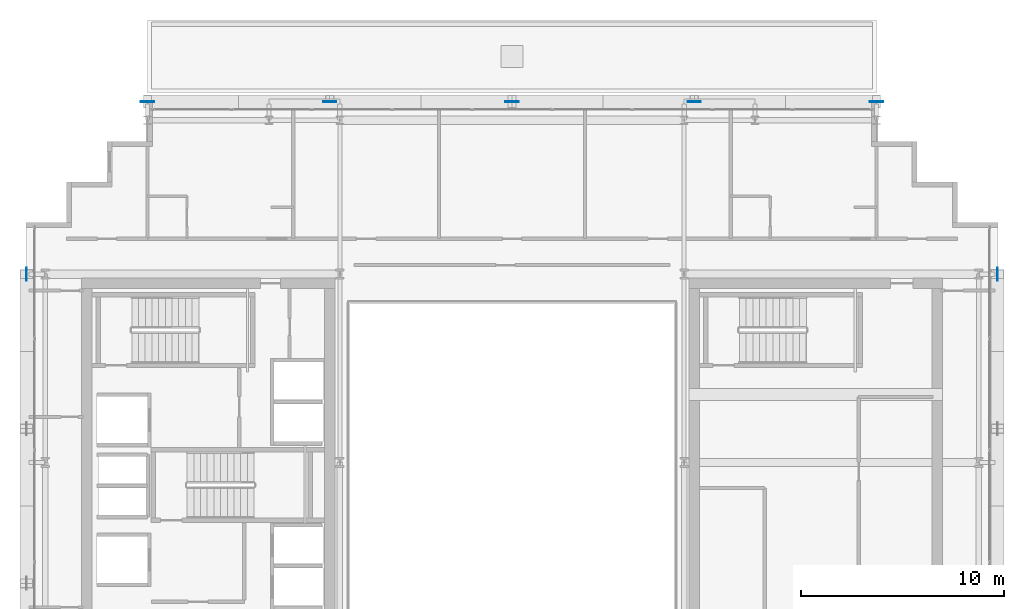
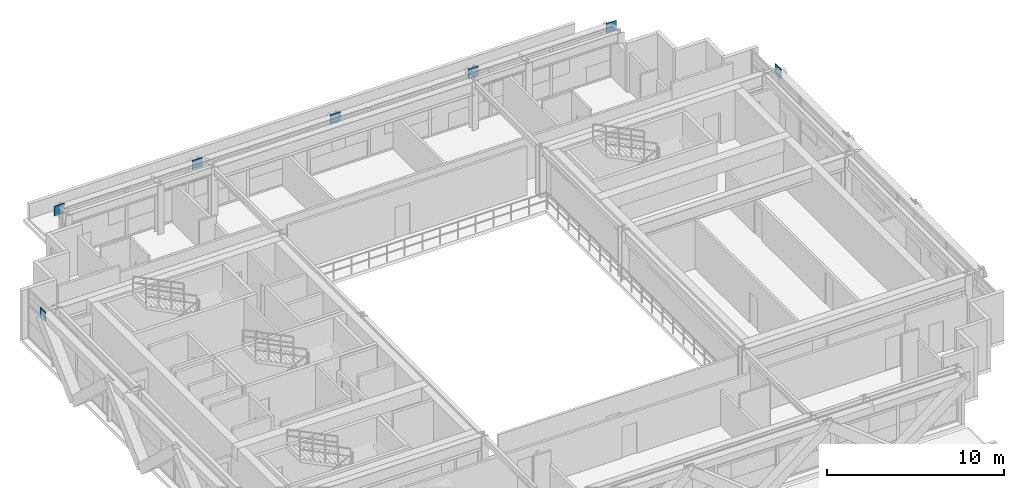
# One storey, part 26 of 34: 7 plates.
"""IFC4 building model written with IfcOpenShell, lengths in metres."""

from ifc_helpers import new_model, si_unit, direction, frame, origin, origin_2d, place, context, subcontext, project, spatial, rectangle, extrude, source, transform, mapped, material, layer, layer_set, type_object, element, save


model = new_model("IFC4")

# Units and contexts
model_context = context("Model", 3, precision=1e-05, world=origin(), true_north=direction((0.0, 1.0)))
body_context = subcontext(model_context, "Body", "Model", "MODEL_VIEW")
ifc_project = project(units=[si_unit("LENGTHUNIT", "METRE"), si_unit("AREAUNIT", "SQUARE_METRE"), si_unit("VOLUMEUNIT", "CUBIC_METRE"), si_unit("PLANEANGLEUNIT", "RADIAN"), si_unit("MASSUNIT", "GRAM", prefix="KILO")], contexts=[model_context])

# Site, building, storey
site_placement = place(None, origin())
site = spatial("IfcSite", under=ifc_project, at=site_placement, CompositionType="ELEMENT")
building_placement = place(site_placement, origin())
building = spatial("IfcBuilding", under=site, at=building_placement, Name="Ocotamira Hotel", CompositionType="ELEMENT")
storey_placement = place(building_placement, frame((0.0, 0.0, 163.199951171875)))
storey = spatial("IfcBuildingStorey", under=building, at=storey_placement, Name="L40", CompositionType="ELEMENT", Elevation=163.199951171875)

# Plates
ifc_material = material(Name="Pale-metal coated steel ASTM A572 Grade 50", Category="steel")
ifc_layer = layer(ifc_material, 0.0400390625)
ifc_layer_set = layer_set([ifc_layer], Name="Pale-metal coated steel ASTM A572 Grade 50")
plate_type = type_object("IfcPlateType", Name="PLT-GUSSET-40", PredefinedType="SHEET", material=ifc_layer_set)
shared_shape_1 = source(origin(), body_context, "Body", "SweptSolid", [
    extrude(rectangle(XDim=0.64990234375, YDim=0.0400390625, at=origin_2d()), origin(), (0.0, 0.0, 1.0), 0.64990234375),
])
for number, where, z_axis, x_axis, name in (
    (1, (14.0, 45.969970703125, 2.795166015625), (0.0, 0.0, 1.0), (-1.0, 0.0, 0.0), "L40 Exoskeleton Diagrid N0.1 End Gusset B"),
    (2, (23.0, 45.969970703125, 2.795166015625), (0.0, 0.0, 1.0), (1.0, 0.0, 0.0), "L40 Exoskeleton Diagrid N0.2 End Gusset B"),
    (3, (32.0, 45.969970703125, 2.795166015625), (0.0, 0.0, 1.0), (1.0, 0.0, 0.0), "L40 Exoskeleton Diagrid N1.2 End Gusset B"),
    (4, (41.0, 45.969970703125, 2.795166015625), (0.0, 0.0, 1.0), (1.0, 0.0, 0.0), "L40 Exoskeleton Diagrid N2.2 End Gusset B"),
    (5, (50.0, 45.969970703125, 2.795166015625), (0.0, 0.0, 1.0), (1.0, 0.0, 0.0), "L40 Exoskeleton Diagrid N3.2 End Gusset B"),
):
    element("IfcPlate", number, at=place(storey_placement, frame(where, z_axis=z_axis, x_axis=x_axis)), inside=storey, type_object=plate_type, Name=name, PredefinedType="SHEET", context=body_context, shape_type="MappedRepresentation", body=[
        mapped(shared_shape_1, transform((0.0, 0.0, 0.0), scale=1.0)),
    ])
shared_shape_2 = source(origin(), body_context, "Body", "SweptSolid", [
    extrude(rectangle(XDim=0.0400390625, YDim=0.64990234375, at=origin_2d()), origin(), (0.0, 0.0, 1.0), 0.64990234375),
])
for number, where, z_axis, x_axis, name in (
    (6, (8.030029296875, 37.449951171875, 2.795166015625), (0.0, 0.0, 1.0), (1.0, 0.0, 0.0), "L40 Exoskeleton Diagrid W2.2 End Gusset B"),
    (7, (55.969970703125, 37.449951171875, 2.795166015625), (0.0, 0.0, 1.0), (1.0, 0.0, 0.0), "L40 Exoskeleton Diagrid E2.2 End Gusset B"),
):
    element("IfcPlate", number, at=place(storey_placement, frame(where, z_axis=z_axis, x_axis=x_axis)), inside=storey, type_object=plate_type, Name=name, PredefinedType="SHEET", context=body_context, shape_type="MappedRepresentation", body=[
        mapped(shared_shape_2, transform((0.0, 0.0, 0.0), scale=1.0)),
    ])

save(model, "model.ifc")
